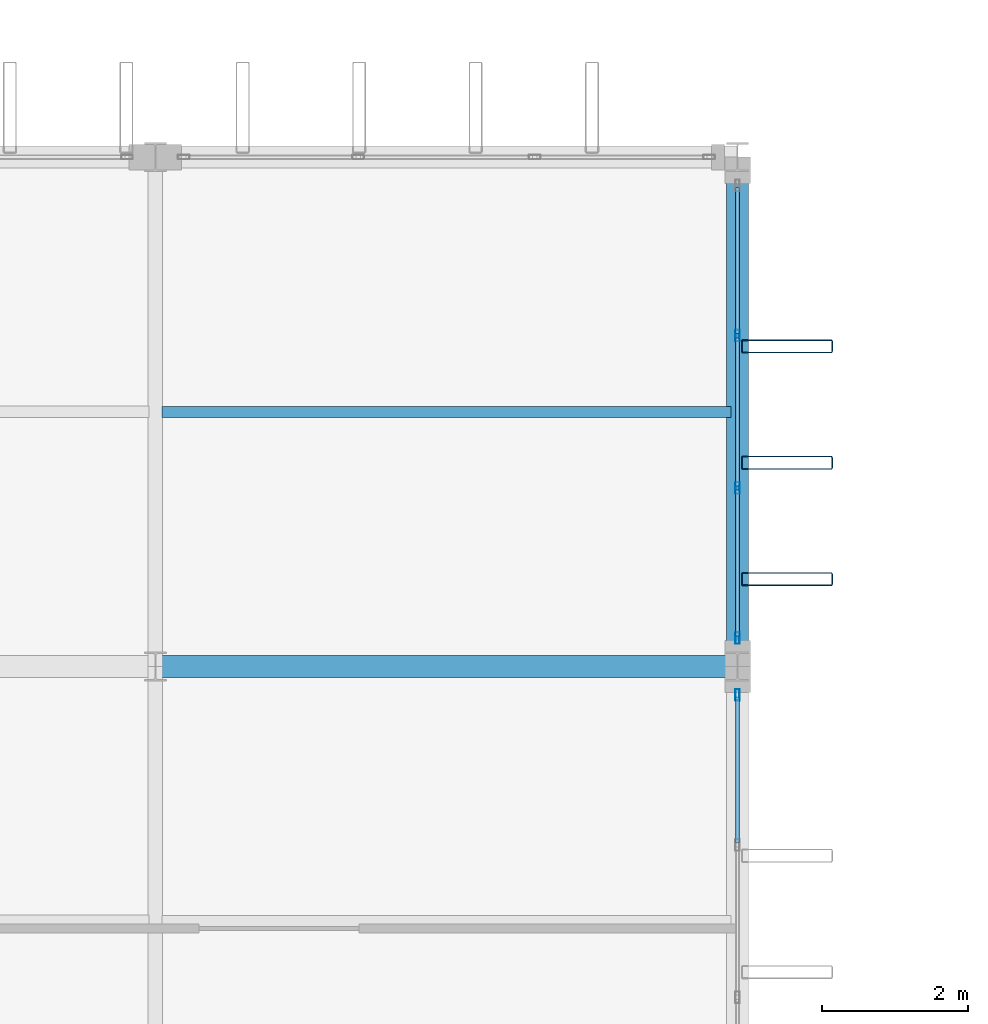
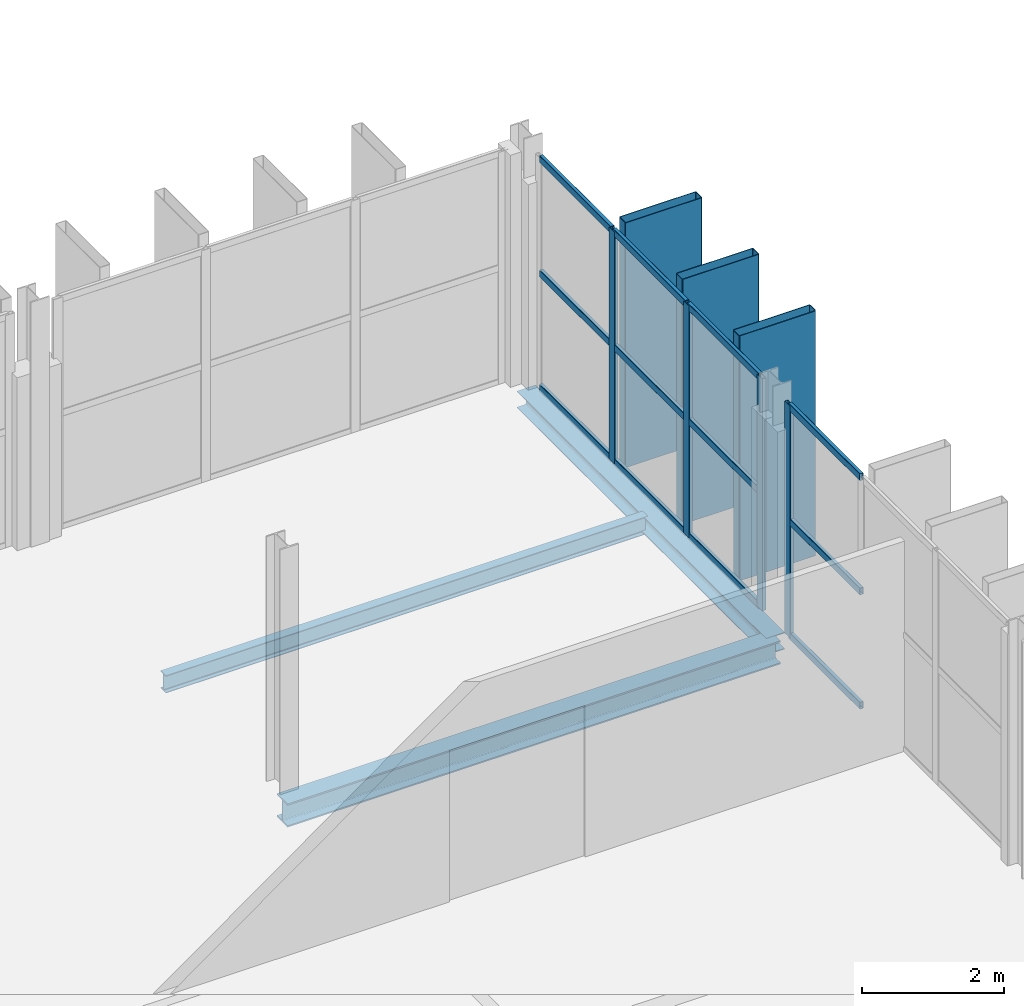
# One storey, part 47 of 101: 19 members, 3 beams, 2 elements without a shape of their own.
"""IFC4 building model written with IfcOpenShell, lengths in metres."""

from ifc_helpers import new_model, si_unit, direction, frame, origin, origin_2d, place, context, subcontext, project, spatial, hollow_rectangle, i_section, extrude, material, layer, layer_set, material_profile, profile_set, type_object, element, aggregate, save


model = new_model("IFC4")

# Units and contexts
model_context = context("Model", 3, precision=1e-05, world=origin(), true_north=direction((0.0, 1.0)))
body_context = subcontext(model_context, "Body", "Model", "MODEL_VIEW")
ifc_project = project(units=[si_unit("LENGTHUNIT", "METRE"), si_unit("AREAUNIT", "SQUARE_METRE"), si_unit("VOLUMEUNIT", "CUBIC_METRE"), si_unit("PLANEANGLEUNIT", "RADIAN"), si_unit("MASSUNIT", "GRAM", prefix="KILO")], contexts=[model_context])

# Site, building, storey
site_placement = place(None, origin())
site = spatial("IfcSite", under=ifc_project, at=site_placement, CompositionType="ELEMENT")
building_placement = place(site_placement, origin())
building = spatial("IfcBuilding", under=site, at=building_placement, Name="Vekula Escarpment Museum", CompositionType="ELEMENT")
storey_placement = place(building_placement, frame((0.0, 0.0, 18.0)))
storey = spatial("IfcBuildingStorey", under=building, at=storey_placement, Name="L04", CompositionType="ELEMENT", Elevation=18.0)

# Beams
ifc_material_1 = material(Name="Steel S355", Category="steel")
ifc_material_profile_1 = material_profile(ifc_material_1, i_section(OverallWidth=0.300048828125, OverallDepth=0.39990234375, WebThickness=0.013427734375, FlangeThickness=0.02392578125, FilletRadius=0.027099609375, at=origin_2d()), Name="HEB 400")
ifc_profile_set_1 = profile_set([ifc_material_profile_1], Name="Steel S355")
beam_type_1 = type_object("IfcBeamType", Name="BM-GIRD-HEB400", PredefinedType="BEAM", material=ifc_profile_set_1)
beam_1_placement = place(storey_placement, frame((118.0, 83.39990234375, -0.43994140625), z_axis=(1.0, 0.0, 0.0), x_axis=(0.0, 1.0, 0.0)))
element("IfcBeam", 1, at=beam_1_placement, inside=storey, type_object=beam_type_1, Name="Beam X L04 1777", PredefinedType="BEAM", context=body_context, shape_type="SweptSolid", body=[
    extrude(i_section(OverallWidth=0.300048828125, OverallDepth=0.39990234375, WebThickness=0.013427734375, FlangeThickness=0.02392578125, FilletRadius=0.027099609375, at=origin_2d()), origin(), (0.0, 0.0, 1.0), 8.0),
])
ifc_material_2 = material(Name="Steel S355", Category="steel")
ifc_material_profile_2 = material_profile(ifc_material_2, i_section(OverallWidth=0.14990234375, OverallDepth=0.300048828125, WebThickness=0.007080078125, FlangeThickness=0.0107421875, FilletRadius=0.014892578125, at=origin_2d()), Name="IPE 300")
ifc_profile_set_2 = profile_set([ifc_material_profile_2], Name="Steel S355")
beam_type_2 = type_object("IfcBeamType", Name="BM-JST-IPE300", PredefinedType="JOIST", material=ifc_profile_set_2)
beam_2_placement = place(storey_placement, frame((118.090087890625, 86.89990234375, -0.389892578125), z_axis=(1.0, 0.0, 0.0), x_axis=(0.0, 1.0, 0.0)))
element("IfcBeam", 2, at=beam_2_placement, inside=storey, type_object=beam_type_2, Name="Secondary Joist L04 1237", PredefinedType="JOIST", context=body_context, shape_type="SweptSolid", body=[
    extrude(i_section(OverallWidth=0.14990234375, OverallDepth=0.300048828125, WebThickness=0.007080078125, FlangeThickness=0.0107421875, FilletRadius=0.014892578125, at=origin_2d()), origin(), (0.0, 0.0, 1.0), 7.81982421875),
])
ifc_material_3 = material(Name="Steel S355", Category="steel")
ifc_material_profile_3 = material_profile(ifc_material_3, i_section(OverallWidth=0.300048828125, OverallDepth=0.2900390625, WebThickness=0.008544921875, FlangeThickness=0.013916015625, FilletRadius=0.027099609375, at=origin_2d()), Name="HEA 300")
ifc_profile_set_3 = profile_set([ifc_material_profile_3], Name="Steel S355")
beam_type_3 = type_object("IfcBeamType", Name="BM-SPAN-HEA300", PredefinedType="SPANDREL", material=ifc_profile_set_3)
beam_3_placement = place(storey_placement, frame((126.0, 83.39990234375, -0.385009765625), z_axis=(0.0, 1.0, 0.0), x_axis=(-1.0, 0.0, 0.0)))
element("IfcBeam", 3, at=beam_3_placement, inside=storey, type_object=beam_type_3, Name="Beam Y L04 1916", PredefinedType="SPANDREL", context=body_context, shape_type="SweptSolid", body=[
    extrude(i_section(OverallWidth=0.300048828125, OverallDepth=0.2900390625, WebThickness=0.008544921875, FlangeThickness=0.013916015625, FilletRadius=0.027099609375, at=origin_2d()), origin(), (0.0, 0.0, 1.0), 7.0),
])

# Curtain wall, member
ifc_material_4 = material(Name="Aluminium thermally broken framing", Category="aluminium")
ifc_layer_1 = layer(ifc_material_4, 0.159912109375)
ifc_layer_set_1 = layer_set([ifc_layer_1], Name="Aluminium thermally broken framing")
curtain_wall_type_1 = type_object("IfcCurtainWallType", Name="CW-SYS-02", PredefinedType="NOTDEFINED", material=ifc_layer_set_1)
curtain_wall_1_placement = place(storey_placement, origin())
curtain_wall_1 = element("IfcCurtainWall", 4, at=curtain_wall_1_placement, inside=storey, type_object=curtain_wall_type_1, Name="Curtain Wall CW-L04-152", PredefinedType="NOTDEFINED")
ifc_material_5 = material(Name="Aluminium anodized mullion", Category="aluminium")
ifc_material_profile_4 = material_profile(ifc_material_5, hollow_rectangle(XDim=0.06005859375, YDim=0.159912109375, WallThickness=0.00390625, InnerFilletRadius=0.00390625, OuterFilletRadius=0.008056640625, at=origin_2d()), Name="ALU 160x60x4")
ifc_profile_set_4 = profile_set([ifc_material_profile_4], Name="Aluminium anodized mullion")
member_type_1 = type_object("IfcMemberType", Name="CW-MUL-160", PredefinedType="MULLION", material=ifc_profile_set_4)
member_1_placement = place(storey_placement, frame((126.0, 83.010009765625, 0.0), z_axis=(0.0, 0.0, 1.0), x_axis=(-1.0, 0.0, 0.0)))
member_1 = element("IfcMember", 5, at=member_1_placement, type_object=member_type_1, Name="CW-02 mullion 4", PredefinedType="MULLION", context=body_context, shape_type="SweptSolid", body=[
    extrude(hollow_rectangle(XDim=0.06005859375, YDim=0.159912109375, WallThickness=0.00390625, InnerFilletRadius=0.00390625, OuterFilletRadius=0.008056640625, at=origin_2d()), origin(), (0.0, 0.0, 1.0), 3.97998046875),
])

# Curtain wall, members
ifc_material_6 = material(Name="Aluminium thermally broken framing", Category="aluminium")
ifc_layer_2 = layer(ifc_material_6, 0.199951171875)
ifc_layer_set_2 = layer_set([ifc_layer_2], Name="Aluminium thermally broken framing")
curtain_wall_type_2 = type_object("IfcCurtainWallType", Name="CW-SYS-03", PredefinedType="NOTDEFINED", material=ifc_layer_set_2)
curtain_wall_2_placement = place(storey_placement, origin())
curtain_wall_2 = element("IfcCurtainWall", 6, at=curtain_wall_2_placement, inside=storey, type_object=curtain_wall_type_2, Name="Curtain Wall CW-L04-153", PredefinedType="NOTDEFINED")
member_2_placement = place(storey_placement, frame((126.0, 83.7900390625, 0.0), z_axis=(0.0, 0.0, 1.0), x_axis=(-1.0, 0.0, 0.0)))
member_2 = element("IfcMember", 7, at=member_2_placement, type_object=member_type_1, Name="CW-03 mullion 1", PredefinedType="MULLION", context=body_context, shape_type="SweptSolid", body=[
    extrude(hollow_rectangle(XDim=0.06005859375, YDim=0.159912109375, WallThickness=0.00390625, InnerFilletRadius=0.00390625, OuterFilletRadius=0.008056640625, at=origin_2d()), origin(), (0.0, 0.0, 1.0), 3.97998046875),
])
member_3_placement = place(storey_placement, frame((126.0, 85.853271484375, 0.0), z_axis=(0.0, 0.0, 1.0), x_axis=(-1.0, 0.0, 0.0)))
member_3 = element("IfcMember", 8, at=member_3_placement, type_object=member_type_1, Name="CW-03 mullion 2", PredefinedType="MULLION", context=body_context, shape_type="SweptSolid", body=[
    extrude(hollow_rectangle(XDim=0.06005859375, YDim=0.159912109375, WallThickness=0.00390625, InnerFilletRadius=0.00390625, OuterFilletRadius=0.008056640625, at=origin_2d()), origin(), (0.0, 0.0, 1.0), 3.97998046875),
])
member_4_placement = place(storey_placement, frame((126.0, 87.94677734375, 0.0), z_axis=(0.0, 0.0, 1.0), x_axis=(-1.0, 0.0, 0.0)))
member_4 = element("IfcMember", 9, at=member_4_placement, type_object=member_type_1, Name="CW-03 mullion 3", PredefinedType="MULLION", context=body_context, shape_type="SweptSolid", body=[
    extrude(hollow_rectangle(XDim=0.06005859375, YDim=0.159912109375, WallThickness=0.00390625, InnerFilletRadius=0.00390625, OuterFilletRadius=0.008056640625, at=origin_2d()), origin(), (0.0, 0.0, 1.0), 3.97998046875),
])

# Member
ifc_material_7 = material(Name="Aluminium anodized transom", Category="aluminium")
ifc_material_profile_5 = material_profile(ifc_material_7, hollow_rectangle(XDim=0.06005859375, YDim=0.1201171875, WallThickness=0.00390625, InnerFilletRadius=0.00390625, OuterFilletRadius=0.008056640625, at=origin_2d()), Name="ALU 120x60x4")
ifc_profile_set_5 = profile_set([ifc_material_profile_5], Name="Aluminium anodized transom")
member_type_2 = type_object("IfcMemberType", Name="CW-TRN-120", PredefinedType="USERDEFINED", material=ifc_profile_set_5)
member_5_placement = place(storey_placement, frame((126.0, 80.9765625, 0.030029296875), z_axis=(0.0, 1.0, 0.0), x_axis=(-1.0, 0.0, 0.0)))
member_5 = element("IfcMember", 10, at=member_5_placement, type_object=member_type_2, Name="CW-02 transom 3.1", ObjectType="TRANSOM", PredefinedType="USERDEFINED", context=body_context, shape_type="SweptSolid", body=[
    extrude(hollow_rectangle(XDim=0.06005859375, YDim=0.1201171875, WallThickness=0.00390625, InnerFilletRadius=0.00390625, OuterFilletRadius=0.008056640625, at=origin_2d()), origin(), (0.0, 0.0, 1.0), 2.00341796875),
])

member_6_placement = place(storey_placement, frame((126.0, 80.9765625, 1.989990234375), z_axis=(0.0, 1.0, 0.0), x_axis=(-1.0, 0.0, 0.0)))
member_6 = element("IfcMember", 11, at=member_6_placement, type_object=member_type_2, Name="CW-02 transom 3.2", ObjectType="TRANSOM", PredefinedType="USERDEFINED", context=body_context, shape_type="SweptSolid", body=[
    extrude(hollow_rectangle(XDim=0.06005859375, YDim=0.1201171875, WallThickness=0.00390625, InnerFilletRadius=0.00390625, OuterFilletRadius=0.008056640625, at=origin_2d()), origin(), (0.0, 0.0, 1.0), 2.00341796875),
])

member_7_placement = place(storey_placement, frame((126.0, 80.9765625, 3.949951171875), z_axis=(0.0, 1.0, 0.0), x_axis=(-1.0, 0.0, 0.0)))
member_7 = element("IfcMember", 12, at=member_7_placement, type_object=member_type_2, Name="CW-02 transom 3.3", ObjectType="TRANSOM", PredefinedType="USERDEFINED", context=body_context, shape_type="SweptSolid", body=[
    extrude(hollow_rectangle(XDim=0.06005859375, YDim=0.1201171875, WallThickness=0.00390625, InnerFilletRadius=0.00390625, OuterFilletRadius=0.008056640625, at=origin_2d()), origin(), (0.0, 0.0, 1.0), 2.00341796875),
])

aggregate(curtain_wall_1, [member_1, member_5, member_6, member_7])

member_8_placement = place(storey_placement, frame((126.0, 83.820068359375, 0.030029296875), z_axis=(0.0, 1.0, 0.0), x_axis=(-1.0, 0.0, 0.0)))
member_8 = element("IfcMember", 13, at=member_8_placement, type_object=member_type_2, Name="CW-03 transom 1.1", ObjectType="TRANSOM", PredefinedType="USERDEFINED", context=body_context, shape_type="SweptSolid", body=[
    extrude(hollow_rectangle(XDim=0.06005859375, YDim=0.1201171875, WallThickness=0.00390625, InnerFilletRadius=0.00390625, OuterFilletRadius=0.008056640625, at=origin_2d()), origin(), (0.0, 0.0, 1.0), 2.003173828125),
])

member_9_placement = place(storey_placement, frame((126.0, 83.820068359375, 1.989990234375), z_axis=(0.0, 1.0, 0.0), x_axis=(-1.0, 0.0, 0.0)))
member_9 = element("IfcMember", 14, at=member_9_placement, type_object=member_type_2, Name="CW-03 transom 1.2", ObjectType="TRANSOM", PredefinedType="USERDEFINED", context=body_context, shape_type="SweptSolid", body=[
    extrude(hollow_rectangle(XDim=0.06005859375, YDim=0.1201171875, WallThickness=0.00390625, InnerFilletRadius=0.00390625, OuterFilletRadius=0.008056640625, at=origin_2d()), origin(), (0.0, 0.0, 1.0), 2.003173828125),
])

member_10_placement = place(storey_placement, frame((126.0, 83.820068359375, 3.949951171875), z_axis=(0.0, 1.0, 0.0), x_axis=(-1.0, 0.0, 0.0)))
member_10 = element("IfcMember", 15, at=member_10_placement, type_object=member_type_2, Name="CW-03 transom 1.3", ObjectType="TRANSOM", PredefinedType="USERDEFINED", context=body_context, shape_type="SweptSolid", body=[
    extrude(hollow_rectangle(XDim=0.06005859375, YDim=0.1201171875, WallThickness=0.00390625, InnerFilletRadius=0.00390625, OuterFilletRadius=0.008056640625, at=origin_2d()), origin(), (0.0, 0.0, 1.0), 2.003173828125),
])

member_11_placement = place(storey_placement, frame((126.0, 85.88330078125, 0.030029296875), z_axis=(0.0, 1.0, 0.0), x_axis=(-1.0, 0.0, 0.0)))
member_11 = element("IfcMember", 16, at=member_11_placement, type_object=member_type_2, Name="CW-03 transom 2.1", ObjectType="TRANSOM", PredefinedType="USERDEFINED", context=body_context, shape_type="SweptSolid", body=[
    extrude(hollow_rectangle(XDim=0.06005859375, YDim=0.1201171875, WallThickness=0.00390625, InnerFilletRadius=0.00390625, OuterFilletRadius=0.008056640625, at=origin_2d()), origin(), (0.0, 0.0, 1.0), 2.033447265625),
])

member_12_placement = place(storey_placement, frame((126.0, 85.88330078125, 1.989990234375), z_axis=(0.0, 1.0, 0.0), x_axis=(-1.0, 0.0, 0.0)))
member_12 = element("IfcMember", 17, at=member_12_placement, type_object=member_type_2, Name="CW-03 transom 2.2", ObjectType="TRANSOM", PredefinedType="USERDEFINED", context=body_context, shape_type="SweptSolid", body=[
    extrude(hollow_rectangle(XDim=0.06005859375, YDim=0.1201171875, WallThickness=0.00390625, InnerFilletRadius=0.00390625, OuterFilletRadius=0.008056640625, at=origin_2d()), origin(), (0.0, 0.0, 1.0), 2.033447265625),
])

member_13_placement = place(storey_placement, frame((126.0, 85.88330078125, 3.949951171875), z_axis=(0.0, 1.0, 0.0), x_axis=(-1.0, 0.0, 0.0)))
member_13 = element("IfcMember", 18, at=member_13_placement, type_object=member_type_2, Name="CW-03 transom 2.3", ObjectType="TRANSOM", PredefinedType="USERDEFINED", context=body_context, shape_type="SweptSolid", body=[
    extrude(hollow_rectangle(XDim=0.06005859375, YDim=0.1201171875, WallThickness=0.00390625, InnerFilletRadius=0.00390625, OuterFilletRadius=0.008056640625, at=origin_2d()), origin(), (0.0, 0.0, 1.0), 2.033447265625),
])

member_14_placement = place(storey_placement, frame((126.0, 87.9765625, 0.030029296875), z_axis=(0.0, 1.0, 0.0), x_axis=(-1.0, 0.0, 0.0)))
member_14 = element("IfcMember", 19, at=member_14_placement, type_object=member_type_2, Name="CW-03 transom 3.1", ObjectType="TRANSOM", PredefinedType="USERDEFINED", context=body_context, shape_type="SweptSolid", body=[
    extrude(hollow_rectangle(XDim=0.06005859375, YDim=0.1201171875, WallThickness=0.00390625, InnerFilletRadius=0.00390625, OuterFilletRadius=0.008056640625, at=origin_2d()), origin(), (0.0, 0.0, 1.0), 2.00341796875),
])

member_15_placement = place(storey_placement, frame((126.0, 87.9765625, 1.989990234375), z_axis=(0.0, 1.0, 0.0), x_axis=(-1.0, 0.0, 0.0)))
member_15 = element("IfcMember", 20, at=member_15_placement, type_object=member_type_2, Name="CW-03 transom 3.2", ObjectType="TRANSOM", PredefinedType="USERDEFINED", context=body_context, shape_type="SweptSolid", body=[
    extrude(hollow_rectangle(XDim=0.06005859375, YDim=0.1201171875, WallThickness=0.00390625, InnerFilletRadius=0.00390625, OuterFilletRadius=0.008056640625, at=origin_2d()), origin(), (0.0, 0.0, 1.0), 2.00341796875),
])

member_16_placement = place(storey_placement, frame((126.0, 87.9765625, 3.949951171875), z_axis=(0.0, 1.0, 0.0), x_axis=(-1.0, 0.0, 0.0)))
member_16 = element("IfcMember", 21, at=member_16_placement, type_object=member_type_2, Name="CW-03 transom 3.3", ObjectType="TRANSOM", PredefinedType="USERDEFINED", context=body_context, shape_type="SweptSolid", body=[
    extrude(hollow_rectangle(XDim=0.06005859375, YDim=0.1201171875, WallThickness=0.00390625, InnerFilletRadius=0.00390625, OuterFilletRadius=0.008056640625, at=origin_2d()), origin(), (0.0, 0.0, 1.0), 2.00341796875),
])

aggregate(curtain_wall_2, [member_2, member_3, member_4, member_8, member_9, member_10, member_11, member_12, member_13, member_14, member_15, member_16])

# Members
ifc_material_8 = material(Name="Steel S355 weathered bronze solar fin", Category="steel")
ifc_material_profile_6 = material_profile(ifc_material_8, hollow_rectangle(XDim=0.179931640625, YDim=1.25, WallThickness=0.010009765625, InnerFilletRadius=0.010009765625, OuterFilletRadius=0.02001953125, at=origin_2d()), Name="RHS 1250x180x10")
ifc_profile_set_6 = profile_set([ifc_material_profile_6], Name="Steel S355 weathered bronze solar fin")
member_type_3 = type_object("IfcMemberType", Name="MB-SOLAR-FIN", PredefinedType="USERDEFINED", material=ifc_profile_set_6)
for number, where, z_axis, x_axis, name in (
    (22, (126.679931640625, 84.60009765625, 0.0), (0.0, 0.0, 1.0), (0.0, 1.0, 0.0), "Great Hall Vertical Solar Fin 0404"),
    (23, (126.679931640625, 86.199951171875, 0.0), (0.0, 0.0, 1.0), (0.0, 1.0, 0.0), "Great Hall Vertical Solar Fin 0409"),
    (24, (126.679931640625, 87.800048828125, 0.0), (0.0, 0.0, 1.0), (0.0, 1.0, 0.0), "Great Hall Vertical Solar Fin 0414"),
):
    element("IfcMember", number, at=place(storey_placement, frame(where, z_axis=z_axis, x_axis=x_axis)), inside=storey, type_object=member_type_3, Name=name, ObjectType="SOLAR FIN", PredefinedType="USERDEFINED", context=body_context, shape_type="SweptSolid", body=[
        extrude(hollow_rectangle(XDim=0.179931640625, YDim=1.25, WallThickness=0.010009765625, InnerFilletRadius=0.010009765625, OuterFilletRadius=0.02001953125, at=origin_2d()), origin(), (0.0, 0.0, 1.0), 4.199951171875),
    ])

save(model, "model.ifc")
